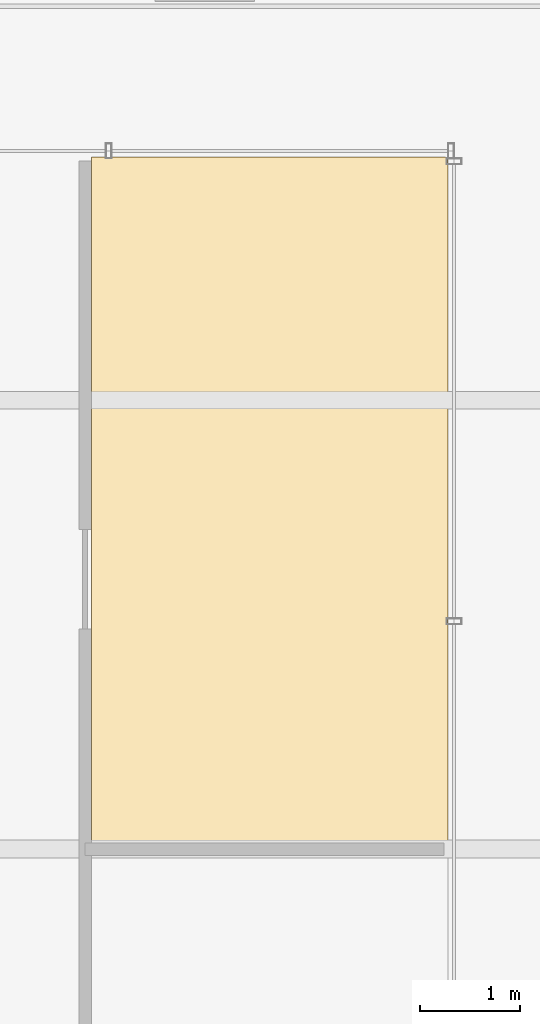
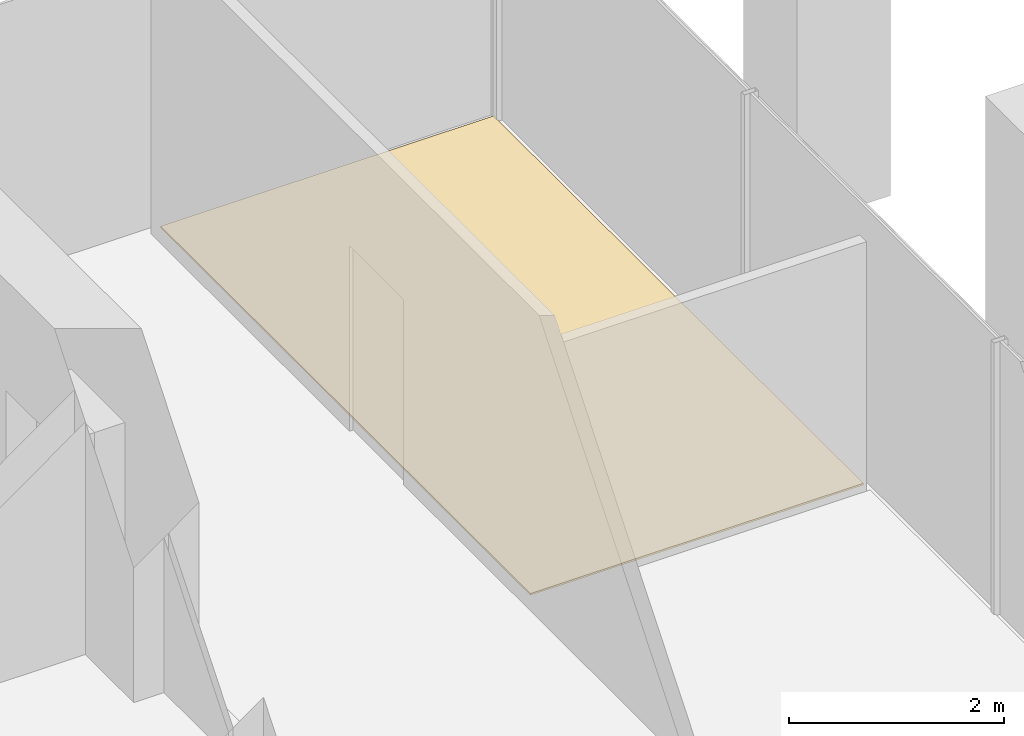
# One storey, part 46 of 46: 1 covering.
"""IFC4 building model written with IfcOpenShell, lengths in metres."""

from ifc_helpers import new_model, si_unit, direction, frame, origin, place, context, subcontext, project, spatial, polyline, outline, extrude, material, layer, layer_set, type_object, element, save


model = new_model("IFC4")

# Units and contexts
model_context = context("Model", 3, precision=1e-05, world=origin(), true_north=direction((0.0, 1.0)))
body_context = subcontext(model_context, "Body", "Model", "MODEL_VIEW")
ifc_project = project(units=[si_unit("LENGTHUNIT", "METRE"), si_unit("AREAUNIT", "SQUARE_METRE"), si_unit("VOLUMEUNIT", "CUBIC_METRE"), si_unit("PLANEANGLEUNIT", "RADIAN"), si_unit("MASSUNIT", "GRAM", prefix="KILO")], contexts=[model_context])

# Site, building, storey
site_placement = place(None, origin())
site = spatial("IfcSite", under=ifc_project, at=site_placement, CompositionType="ELEMENT")
building_placement = place(site_placement, origin())
building = spatial("IfcBuilding", under=site, at=building_placement, Name="Altepetl Exchange Towers", CompositionType="ELEMENT")
storey_placement = place(building_placement, frame((0.0, 0.0, 128.0)))
storey = spatial("IfcBuildingStorey", under=building, at=storey_placement, Name="L31", CompositionType="ELEMENT", Elevation=128.0)

# Covering
ifc_material = material(Name="Carpet tile")
ifc_layer = layer(ifc_material, 0.02001953125)
ifc_layer_set = layer_set([ifc_layer], Name="Carpet tile")
covering_type = type_object("IfcCoveringType", Name="Carpet tile floor", PredefinedType="FLOORING", material=ifc_layer_set)
covering_placement = place(storey_placement, origin())
element("IfcCovering", 1, at=covering_placement, inside=storey, type_object=covering_type, Name="Meeting room floor finish B31.06", PredefinedType="FLOORING", context=body_context, shape_type="SweptSolid", body=[
    extrude(outline(polyline([(120.362548828125, 47.4375), (120.362548828125, 40.5625), (123.9375, 40.5625), (123.9375, 47.4375), (120.362548828125, 47.4375)])), origin(), (0.0, 0.0, 1.0), 0.02001953125),
])

save(model, "model.ifc")
